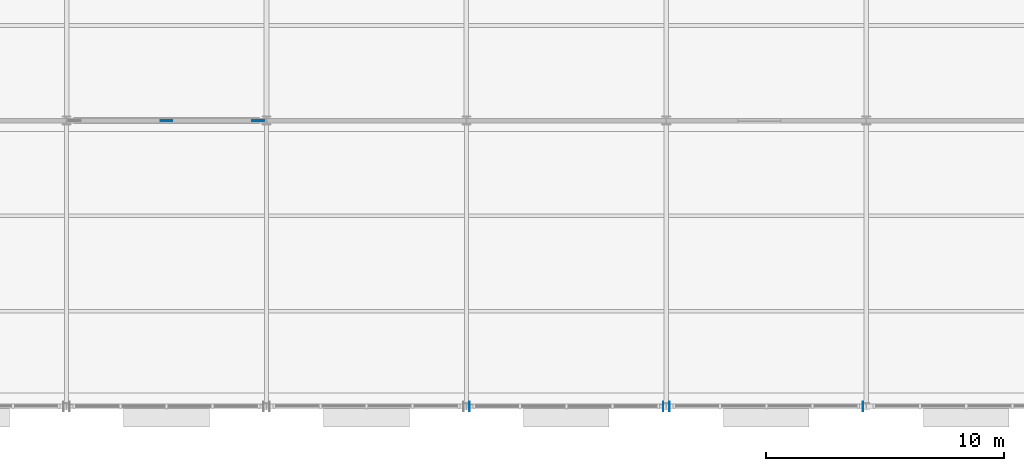
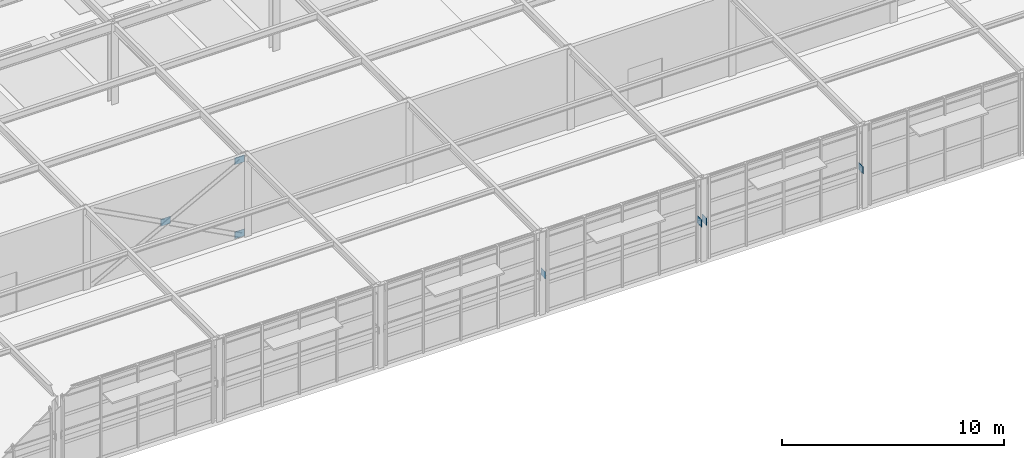
# One storey, part 58 of 82: 7 plates.
"""IFC4 building model written with IfcOpenShell, lengths in metres."""

from ifc_helpers import new_model, si_unit, direction, frame, origin, origin_2d, place, context, subcontext, project, spatial, rectangle, extrude, material, layer, layer_set, type_object, element, save


model = new_model("IFC4")

# Units and contexts
model_context = context("Model", 3, precision=1e-05, world=origin(), true_north=direction((0.0, 1.0)))
body_context = subcontext(model_context, "Body", "Model", "MODEL_VIEW")
ifc_project = project(units=[si_unit("LENGTHUNIT", "METRE"), si_unit("AREAUNIT", "SQUARE_METRE"), si_unit("VOLUMEUNIT", "CUBIC_METRE"), si_unit("PLANEANGLEUNIT", "RADIAN"), si_unit("MASSUNIT", "GRAM", prefix="KILO")], contexts=[model_context])

# Site, building, storey
site_placement = place(None, origin())
site = spatial("IfcSite", under=ifc_project, at=site_placement, CompositionType="ELEMENT")
building_placement = place(site_placement, origin())
building = spatial("IfcBuilding", under=site, at=building_placement, Name="Sitalva Quay Ferry Terminal", CompositionType="ELEMENT")
storey_placement = place(building_placement, frame((0.0, 0.0, 5.39990234375)))
storey = spatial("IfcBuildingStorey", under=building, at=storey_placement, Name="L02", CompositionType="ELEMENT", Elevation=5.39990234375)

# Plates
ifc_material_1 = material(Name="Structural Steel S355JR", Category="steel")
ifc_layer_1 = layer(ifc_material_1, 0.02001953125)
ifc_layer_set_1 = layer_set([ifc_layer_1], Name="Structural Steel S355JR")
plate_type_1 = type_object("IfcPlateType", Name="Gusset_400x400x20", PredefinedType="USERDEFINED", material=ifc_layer_set_1)
for number, where, z_axis, x_axis, name in (
    (1, (117.72998046875, 6.0, 1.9501953125), (0.0, 0.0, 1.0), (1.0, 0.0, 0.0), "Promenade spandrel 05 west end plate"),
    (2, (125.8701171875, 6.0, 1.9501953125), (0.0, 0.0, 1.0), (1.0, 0.0, 0.0), "Promenade spandrel 05 east end plate"),
    (3, (126.1298828125, 6.0, 1.9501953125), (0.0, 0.0, 1.0), (1.0, 0.0, 0.0), "Promenade spandrel 06 west end plate"),
    (4, (134.27001953125, 6.0, 1.9501953125), (0.0, 0.0, 1.0), (1.0, 0.0, 0.0), "Promenade spandrel 06 east end plate"),
):
    element("IfcPlate", number, at=place(storey_placement, frame(where, z_axis=z_axis, x_axis=x_axis)), inside=storey, type_object=plate_type_1, Name=name, ObjectType="FLANGE_PLATE", PredefinedType="USERDEFINED", context=body_context, shape_type="SweptSolid", body=[
        extrude(rectangle(XDim=0.02001953125, YDim=0.39990234375, at=origin_2d()), origin(), (0.0, 0.0, 1.0), 0.39990234375),
    ])
ifc_material_2 = material(Name="Structural Steel S355JR", Category="steel")
ifc_layer_2 = layer(ifc_material_2, 0.028076171875)
ifc_layer_set_2 = layer_set([ifc_layer_2], Name="Structural Steel S355JR")
plate_type_2 = type_object("IfcPlateType", Name="Gusset_500x380x28", PredefinedType="USERDEFINED", material=ifc_layer_set_2)
for number, where, z_axis, x_axis, name in (
    (5, (105.0, 18.0, 2.000244140625), (0.0, 0.0, 1.0), (1.0, 0.0, 0.0), "Braced frame BF8 L02 XNODE gusset"),
    (6, (108.85009765625, 18.0, -0.039794921875), (0.0, 0.0, 1.0), (1.0, 0.0, 0.0), "Braced frame BF8 L02 SE gusset"),
    (7, (108.85009765625, 18.0, 4.0400390625), (0.0, 0.0, 1.0), (1.0, 0.0, 0.0), "Braced frame BF8 L02 NE gusset"),
):
    element("IfcPlate", number, at=place(storey_placement, frame(where, z_axis=z_axis, x_axis=x_axis)), inside=storey, type_object=plate_type_2, Name=name, ObjectType="FLANGE_PLATE", PredefinedType="USERDEFINED", context=body_context, shape_type="SweptSolid", body=[
        extrude(rectangle(XDim=0.5, YDim=0.028076171875, at=origin_2d()), origin(), (0.0, 0.0, 1.0), 0.3798828125),
    ])

save(model, "model.ifc")
